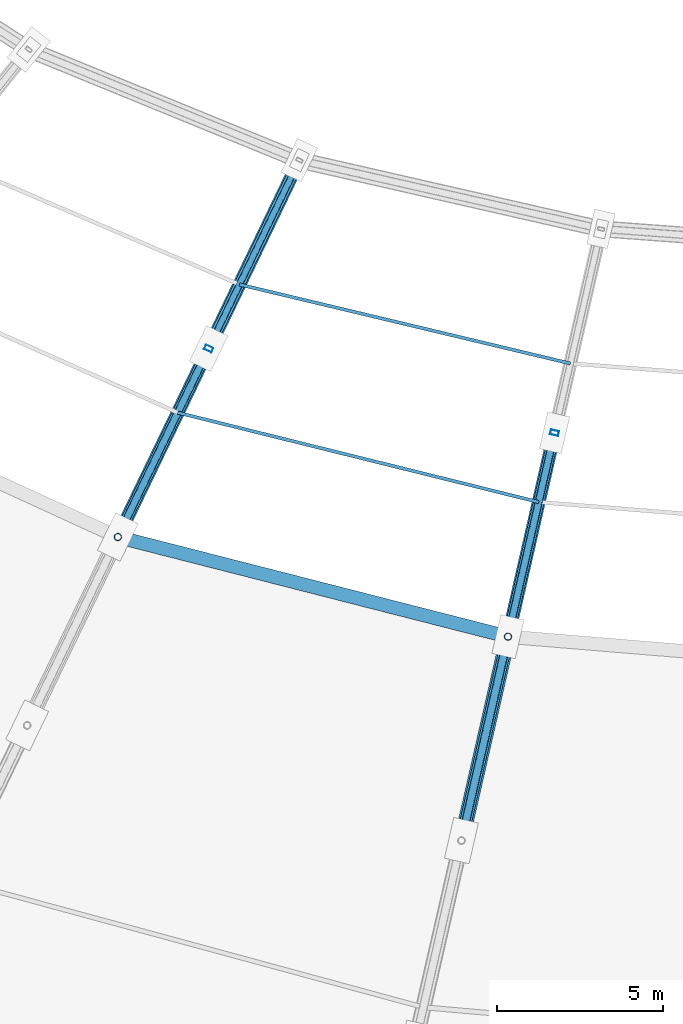
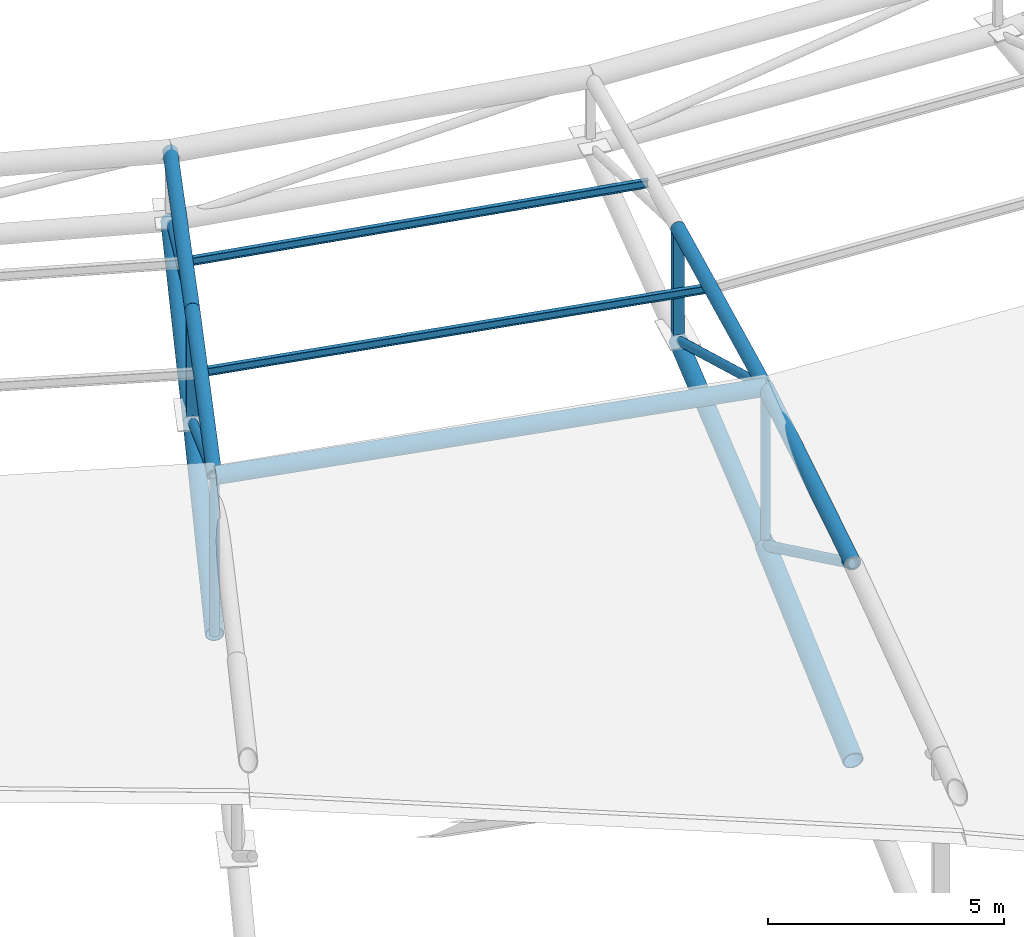
# One storey, part 20 of 108: 19 members.
"""IFC4 building model written with IfcOpenShell, lengths in metres."""

from ifc_helpers import new_model, si_unit, direction, frame, origin, origin_2d, place, context, subcontext, project, spatial, hollow_rectangle, hollow_circle, i_section, extrude, material, material_profile, profile_set, type_object, element, save


model = new_model("IFC4")

# Units and contexts
model_context = context("Model", 3, precision=1e-05, world=origin(), true_north=direction((0.0, 1.0)))
body_context = subcontext(model_context, "Body", "Model", "MODEL_VIEW")
ifc_project = project(units=[si_unit("LENGTHUNIT", "METRE"), si_unit("AREAUNIT", "SQUARE_METRE"), si_unit("VOLUMEUNIT", "CUBIC_METRE"), si_unit("PLANEANGLEUNIT", "RADIAN"), si_unit("MASSUNIT", "GRAM", prefix="KILO")], contexts=[model_context])

# Site, building, storey
site_placement = place(None, origin())
site = spatial("IfcSite", under=ifc_project, at=site_placement, CompositionType="ELEMENT")
building_placement = place(site_placement, origin())
building = spatial("IfcBuilding", under=site, at=building_placement, Name="Zevraka Park Crest Stadium", CompositionType="ELEMENT")
storey_placement = place(building_placement, frame((0.0, 0.0, 29.39990234375)))
storey = spatial("IfcBuildingStorey", under=building, at=storey_placement, Name="RF", CompositionType="ELEMENT", Elevation=29.39990234375)

# Members
ifc_material_1 = material(Name="Steel S355", Category="steel")
ifc_material_profile_1 = material_profile(ifc_material_1, i_section(OverallWidth=0.10009765625, OverallDepth=0.199951171875, WebThickness=0.005615234375, FlangeThickness=0.008544921875, at=origin_2d()), Name="IPE 200")
ifc_profile_set_1 = profile_set([ifc_material_profile_1], Name="Steel S355")
member_type_1 = type_object("IfcMemberType", Name="PR03", PredefinedType="PURLIN", material=ifc_profile_set_1)
member_1_placement = place(storey_placement, frame((89.679931640625, 59.1669921875, 9.173095703125), z_axis=(0.970627708153, -0.240586475442, 0.0), x_axis=(0.240586475442, 0.970627708153, 0.0)))
element("IfcMember", 1, at=member_1_placement, inside=storey, type_object=member_type_1, Name="Canopy Roof Purlin PR03 INNER-20-1", PredefinedType="PURLIN", context=body_context, shape_type="SweptSolid", body=[
    extrude(i_section(OverallWidth=0.10009765625, OverallDepth=0.199951171875, WebThickness=0.005615234375, FlangeThickness=0.008544921875, at=origin_2d()), origin(), (0.0, 0.0, 1.0), 11.2021484375),
])
member_2_placement = place(storey_placement, frame((91.5390625, 63.027099609375, 9.037109375), z_axis=(0.972678259611, -0.232157281342, 0.0), x_axis=(0.232157281342, 0.972678259611, 0.0)))
element("IfcMember", 2, at=member_2_placement, inside=storey, type_object=member_type_1, Name="Canopy Roof Purlin PR03 INNER-20-2", PredefinedType="PURLIN", context=body_context, shape_type="SweptSolid", body=[
    extrude(i_section(OverallWidth=0.10009765625, OverallDepth=0.199951171875, WebThickness=0.005615234375, FlangeThickness=0.008544921875, at=origin_2d()), origin(), (0.0, 0.0, 1.0), 10.248046875),
])
ifc_material_2 = material(Name="Steel S355", Category="steel")
ifc_material_profile_2 = material_profile(ifc_material_2, hollow_circle(Radius=0.228515625, WallThickness=0.02490234375, at=origin_2d()), Name="CHS 457.0x25")
ifc_profile_set_2 = profile_set([ifc_material_profile_2], Name="Steel S355")
member_type_2 = type_object("IfcMemberType", Name="TC02", PredefinedType="CHORD", material=ifc_profile_set_2)
member_3_placement = place(storey_placement, frame((98.22607421875, 46.27587890625, 3.9501953125), z_axis=(0.217577220744, 0.953292880439, 0.209506174416), x_axis=(-0.974929167571, 0.222515433667, 0.0)))
element("IfcMember", 3, at=member_3_placement, inside=storey, type_object=member_type_2, Name="Roof Truss Bottom Chord TC02 T21-5", PredefinedType="CHORD", context=body_context, shape_type="SweptSolid", body=[
    extrude(hollow_circle(Radius=0.228515625, WallThickness=0.02490234375, at=origin_2d()), origin(), (0.0, 0.0, 1.0), 6.443115234375),
])
ifc_material_3 = material(Name="Steel S355", Category="steel")
ifc_material_profile_3 = material_profile(ifc_material_3, hollow_circle(Radius=0.203125, WallThickness=0.02001953125, at=origin_2d()), Name="CHS 406.4x20")
ifc_profile_set_3 = profile_set([ifc_material_profile_3], Name="Steel S355")
member_type_3 = type_object("IfcMemberType", Name="TC03", PredefinedType="CHORD", material=ifc_profile_set_3)
member_4_placement = place(storey_placement, frame((87.8759765625, 55.4208984375, 5.300048828125), z_axis=(0.427505766927, 0.887497238618, 0.172010088916), x_axis=(-0.900925361812, 0.43397406886, 0.0)))
element("IfcMember", 4, at=member_4_placement, inside=storey, type_object=member_type_3, Name="Roof Truss Bottom Chord TC03 T20-6", PredefinedType="CHORD", context=body_context, shape_type="SweptSolid", body=[
    extrude(hollow_circle(Radius=0.203125, WallThickness=0.02001953125, at=origin_2d()), origin(), (0.0, 0.0, 1.0), 6.3955078125),
])
member_5_placement = place(storey_placement, frame((90.610107421875, 61.096923828125, 6.400146484375), z_axis=(0.430360126312, 0.89382192037, 0.125986254594), x_axis=(-0.901001108726, 0.433816783994, 0.0)))
element("IfcMember", 5, at=member_5_placement, inside=storey, type_object=member_type_3, Name="Roof Truss Bottom Chord TC03 T20-7", PredefinedType="CHORD", context=body_context, shape_type="SweptSolid", body=[
    extrude(hollow_circle(Radius=0.203125, WallThickness=0.02001953125, at=origin_2d()), origin(), (0.0, 0.0, 1.0), 6.350341796875),
])
member_6_placement = place(storey_placement, frame((99.6279296875, 52.41796875, 5.300048828125), z_axis=(0.219235037488, 0.960389182158, 0.172013421369), x_axis=(-0.974920760158, 0.222552266698, 0.0)))
element("IfcMember", 6, at=member_6_placement, inside=storey, type_object=member_type_3, Name="Roof Truss Bottom Chord TC03 T21-6", PredefinedType="CHORD", context=body_context, shape_type="SweptSolid", body=[
    extrude(hollow_circle(Radius=0.203125, WallThickness=0.02001953125, at=origin_2d()), origin(), (0.0, 0.0, 1.0), 6.3955078125),
])
member_7_placement = place(storey_placement, frame((87.8759765625, 55.4208984375, 9.400146484375), z_axis=(0.968869652629, -0.247571396197, 0.0), x_axis=(0.247571396197, 0.968869652629, 0.0)))
element("IfcMember", 7, at=member_7_placement, inside=storey, type_object=member_type_3, Name="Roof Canopy Arch Crown Ring Chord TC03 20", PredefinedType="CHORD", context=body_context, shape_type="SweptSolid", body=[
    extrude(hollow_circle(Radius=0.203125, WallThickness=0.02001953125, at=origin_2d()), origin(), (0.0, 0.0, 1.0), 12.129638671875),
])
ifc_material_4 = material(Name="Steel S355", Category="steel")
ifc_material_profile_4 = material_profile(ifc_material_4, hollow_circle(Radius=0.161865234375, WallThickness=0.01611328125, at=origin_2d()), Name="CHS 323.9x16")
ifc_profile_set_4 = profile_set([ifc_material_profile_4], Name="Steel S355")
member_type_4 = type_object("IfcMemberType", Name="TC04", PredefinedType="CHORD", material=ifc_profile_set_4)
member_8_placement = place(storey_placement, frame((87.8759765625, 55.4208984375, 9.400146484375), z_axis=(0.433919305719, 0.900811674136, -0.015885964403), x_axis=(-0.900925361812, 0.43397406886, 0.0)))
element("IfcMember", 8, at=member_8_placement, inside=storey, type_object=member_type_4, Name="Roof Truss Top Chord TC04 T20-6", PredefinedType="CHORD", context=body_context, shape_type="SweptSolid", body=[
    extrude(hollow_circle(Radius=0.161865234375, WallThickness=0.01611328125, at=origin_2d()), origin(), (0.0, 0.0, 1.0), 6.301025390625),
])
member_9_placement = place(storey_placement, frame((90.610107421875, 61.096923828125, 9.300048828125), z_axis=(0.433325554908, 0.899980867077, -0.047575228424), x_axis=(-0.901001108726, 0.433816783994, 0.0)))
element("IfcMember", 9, at=member_9_placement, inside=storey, type_object=member_type_4, Name="Roof Truss Top Chord TC04 T20-7", PredefinedType="CHORD", context=body_context, shape_type="SweptSolid", body=[
    extrude(hollow_circle(Radius=0.161865234375, WallThickness=0.01611328125, at=origin_2d()), origin(), (0.0, 0.0, 1.0), 6.306884765625),
])
member_10_placement = place(storey_placement, frame((99.6279296875, 52.41796875, 9.400146484375), z_axis=(0.22252418173, 0.974797730099, -0.015886281475), x_axis=(-0.974920760158, 0.222552266698, 0.0)))
element("IfcMember", 10, at=member_10_placement, inside=storey, type_object=member_type_4, Name="Roof Truss Top Chord TC04 T21-6", PredefinedType="CHORD", context=body_context, shape_type="SweptSolid", body=[
    extrude(hollow_circle(Radius=0.161865234375, WallThickness=0.01611328125, at=origin_2d()), origin(), (0.0, 0.0, 1.0), 6.30078125),
])
ifc_material_5 = material(Name="Steel S355", Category="steel")
ifc_material_profile_5 = material_profile(ifc_material_5, hollow_circle(Radius=0.177734375, WallThickness=0.01611328125, at=origin_2d()), Name="CHS 355.6x16")
ifc_profile_set_5 = profile_set([ifc_material_profile_5], Name="Steel S355")
member_type_5 = type_object("IfcMemberType", Name="TC05", PredefinedType="CHORD", material=ifc_profile_set_5)
member_11_placement = place(storey_placement, frame((98.22607421875, 46.27587890625, 9.050048828125), z_axis=(0.222172651746, 0.973427302791, 0.055485124104), x_axis=(-0.974929167571, 0.222515433667, 0.0)))
element("IfcMember", 11, at=member_11_placement, inside=storey, type_object=member_type_5, Name="Roof Truss Top Chord TC05 T21-5", PredefinedType="CHORD", context=body_context, shape_type="SweptSolid", body=[
    extrude(hollow_circle(Radius=0.177734375, WallThickness=0.01611328125, at=origin_2d()), origin(), (0.0, 0.0, 1.0), 6.309814453125),
])
ifc_material_6 = material(Name="Steel S355", Category="steel")
ifc_material_profile_6 = material_profile(ifc_material_6, hollow_circle(Radius=0.109619140625, WallThickness=0.010009765625, at=origin_2d()), Name="CHS 219.1x10")
ifc_profile_set_6 = profile_set([ifc_material_profile_6], Name="Steel S355")
member_type_6 = type_object("IfcMemberType", Name="WB02", PredefinedType="BRACE", material=ifc_profile_set_6)
member_12_placement = place(storey_placement, frame((87.8759765625, 55.4208984375, 5.300048828125), z_axis=(0.0, 0.0, 1.0), x_axis=(0.43381634559, 0.90100131981, 0.0)))
element("IfcMember", 12, at=member_12_placement, inside=storey, type_object=member_type_6, Name="Roof Truss Web Post WB02 T20-5", PredefinedType="BRACE", context=body_context, shape_type="SweptSolid", body=[
    extrude(hollow_circle(Radius=0.109619140625, WallThickness=0.010009765625, at=origin_2d()), origin(), (0.0, 0.0, 1.0), 4.10009765625),
])
member_13_placement = place(storey_placement, frame((90.610107421875, 61.096923828125, 6.400146484375), z_axis=(-0.391820548902, -0.813415121121, 0.429921502358), x_axis=(0.900925361812, -0.43397406886, 0.0)))
element("IfcMember", 13, at=member_13_placement, inside=storey, type_object=member_type_6, Name="Roof Truss Web Diagonal WB02 T20-6", PredefinedType="BRACE", context=body_context, shape_type="SweptSolid", body=[
    extrude(hollow_circle(Radius=0.109619140625, WallThickness=0.010009765625, at=origin_2d()), origin(), (0.0, 0.0, 1.0), 6.97802734375),
])
member_14_placement = place(storey_placement, frame((99.6279296875, 52.41796875, 5.300048828125), z_axis=(0.0, 0.0, 1.0), x_axis=(0.222569549971, 0.974916814618, 0.0)))
element("IfcMember", 14, at=member_14_placement, inside=storey, type_object=member_type_6, Name="Roof Truss Web Post WB02 T21-5", PredefinedType="BRACE", context=body_context, shape_type="SweptSolid", body=[
    extrude(hollow_circle(Radius=0.109619140625, WallThickness=0.010009765625, at=origin_2d()), origin(), (0.0, 0.0, 1.0), 4.10009765625),
])
member_15_placement = place(storey_placement, frame((101.030029296875, 58.56005859375, 6.400146484375), z_axis=(-0.200934193488, -0.880219822352, 0.429928498969), x_axis=(0.974920760158, -0.222552266698, 0.0)))
element("IfcMember", 15, at=member_15_placement, inside=storey, type_object=member_type_6, Name="Roof Truss Web Diagonal WB02 T21-6", PredefinedType="BRACE", context=body_context, shape_type="SweptSolid", body=[
    extrude(hollow_circle(Radius=0.109619140625, WallThickness=0.010009765625, at=origin_2d()), origin(), (0.0, 0.0, 1.0), 6.977783203125),
])
ifc_material_7 = material(Name="Steel S355", Category="steel")
ifc_material_profile_7 = material_profile(ifc_material_7, hollow_rectangle(XDim=0.14990234375, YDim=0.25, WallThickness=0.010009765625, at=origin_2d()), Name="RHS 250x150x10")
ifc_profile_set_7 = profile_set([ifc_material_profile_7], Name="Steel S355")
member_type_7 = type_object("IfcMemberType", Name="WB04", PredefinedType="BRACE", material=ifc_profile_set_7)
for number, where, z_axis, x_axis, name in (
    (16, (90.610107421875, 61.096923828125, 6.400146484375), (0.0, 0.0, 1.0), (0.43381634559, 0.90100131981, 0.0), "Roof Truss Web Post WB04 T20-6"),
    (17, (101.030029296875, 58.56005859375, 6.400146484375), (0.0, 0.0, 1.0), (0.222569549971, 0.974916814618, 0.0), "Roof Truss Web Post WB04 T21-6"),
):
    element("IfcMember", number, at=place(storey_placement, frame(where, z_axis=z_axis, x_axis=x_axis)), inside=storey, type_object=member_type_7, Name=name, PredefinedType="BRACE", context=body_context, shape_type="SweptSolid", body=[
        extrude(hollow_rectangle(XDim=0.14990234375, YDim=0.25, WallThickness=0.010009765625, at=origin_2d()), origin(), (0.0, 0.0, 1.0), 2.89990234375),
    ])
ifc_material_8 = material(Name="Steel S355", Category="steel")
ifc_material_profile_8 = material_profile(ifc_material_8, hollow_circle(Radius=0.122314453125, WallThickness=0.012451171875, at=origin_2d()), Name="CHS 244.5x12.5")
ifc_profile_set_8 = profile_set([ifc_material_profile_8], Name="Steel S355")
member_type_8 = type_object("IfcMemberType", Name="WB07", PredefinedType="BRACE", material=ifc_profile_set_8)
member_16_placement = place(storey_placement, frame((99.6279296875, 52.41796875, 5.300048828125), z_axis=(-0.19120622273, -0.837750984228, 0.51148164074), x_axis=(0.974929167571, -0.222515433667, 0.0)))
element("IfcMember", 18, at=member_16_placement, inside=storey, type_object=member_type_8, Name="Roof Truss Web Diagonal WB07 T21-5", PredefinedType="BRACE", context=body_context, shape_type="SweptSolid", body=[
    extrude(hollow_circle(Radius=0.122314453125, WallThickness=0.012451171875, at=origin_2d()), origin(), (0.0, 0.0, 1.0), 7.33154296875),
])
ifc_material_9 = material(Name="Steel S355", Category="steel")
ifc_material_profile_9 = material_profile(ifc_material_9, hollow_circle(Radius=0.096923828125, WallThickness=0.010009765625, at=origin_2d()), Name="CHS 193.7x10")
ifc_profile_set_9 = profile_set([ifc_material_profile_9], Name="Steel S355")
member_type_9 = type_object("IfcMemberType", Name="WB08", PredefinedType="BRACE", material=ifc_profile_set_9)
member_17_placement = place(storey_placement, frame((93.343017578125, 66.77294921875, 7.2001953125), z_axis=(-0.411555566532, -0.854766425433, 0.316222032137), x_axis=(0.901001108726, -0.433816783994, 0.0)))
element("IfcMember", 19, at=member_17_placement, inside=storey, type_object=member_type_9, Name="Roof Truss Web Diagonal WB08 T20-7", PredefinedType="BRACE", context=body_context, shape_type="SweptSolid", body=[
    extrude(hollow_circle(Radius=0.096923828125, WallThickness=0.010009765625, at=origin_2d()), origin(), (0.0, 0.0, 1.0), 6.640380859375),
])

save(model, "model.ifc")
